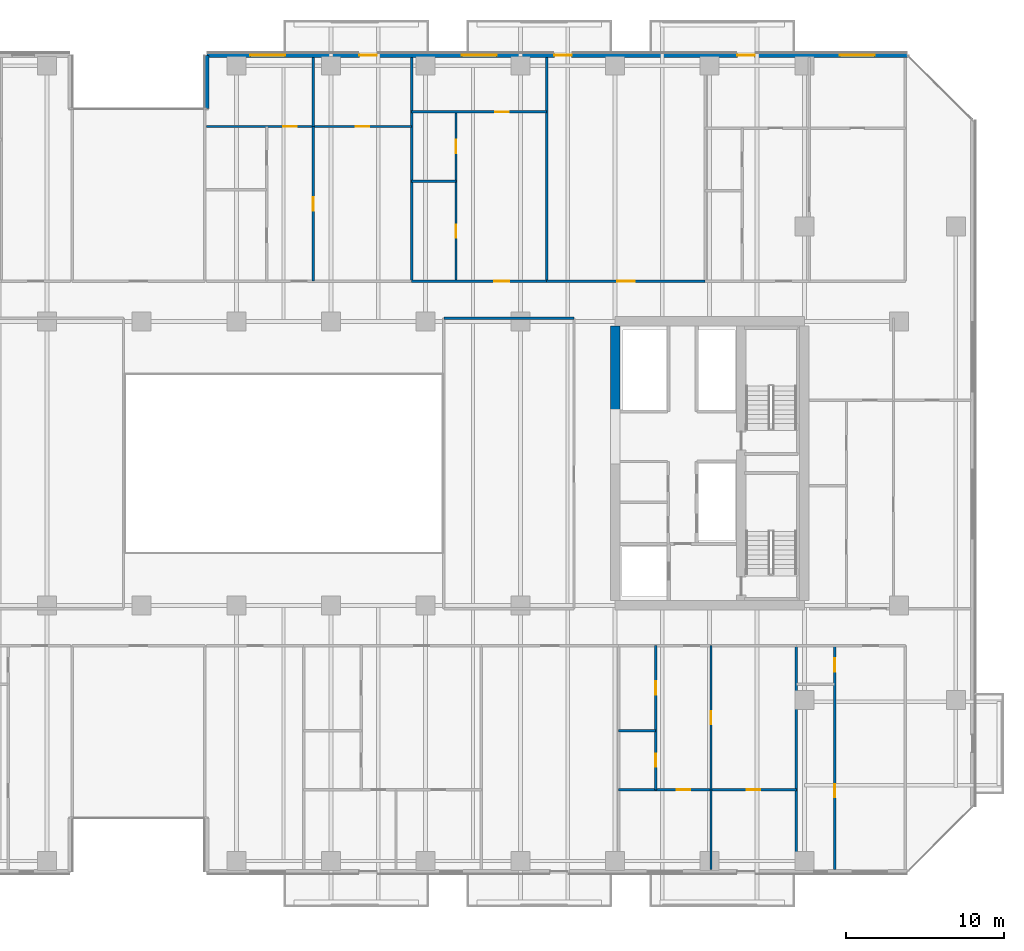
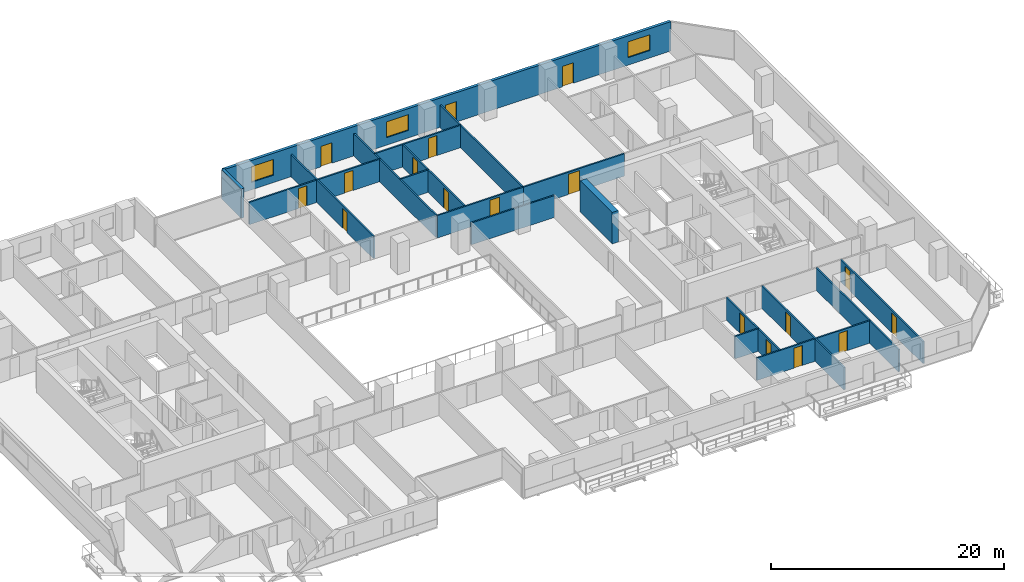
# One storey, part 21 of 33: 21 walls, 18 doors, 3 windows, 21 openings.
"""IFC4 building model written with IfcOpenShell, lengths in metres."""

from ifc_helpers import new_model, si_unit, direction, frame, frame_2d, origin, place, context, subcontext, project, spatial, rectangle, extrude, material, layer, layer_set, type_object, element, fill, save


model = new_model("IFC4")

# Units and contexts
model_context = context("Model", 3, precision=1e-05, world=origin(), true_north=direction((0.0, 1.0)))
body_context = subcontext(model_context, "Body", "Model", "MODEL_VIEW")
ifc_project = project(units=[si_unit("LENGTHUNIT", "METRE"), si_unit("AREAUNIT", "SQUARE_METRE"), si_unit("VOLUMEUNIT", "CUBIC_METRE"), si_unit("PLANEANGLEUNIT", "RADIAN"), si_unit("MASSUNIT", "GRAM", prefix="KILO")], contexts=[model_context])

# Site, building, storey
site_placement = place(None, origin())
site = spatial("IfcSite", under=ifc_project, at=site_placement, CompositionType="ELEMENT")
building_placement = place(site_placement, origin())
building = spatial("IfcBuilding", under=site, at=building_placement, Name="Tanjung Sevakor Pilgrim Tower", CompositionType="ELEMENT")
storey_placement = place(building_placement, frame((0.0, 0.0, 32.340087890625)))
storey = spatial("IfcBuildingStorey", under=building, at=storey_placement, Name="L08", CompositionType="ELEMENT", Elevation=32.340087890625)

# Walls
ifc_material_1 = material(Name="Concrete C60/75", Category="concrete")
ifc_layer_1 = layer(ifc_material_1, 0.60009765625)
ifc_layer_set_1 = layer_set([ifc_layer_1], Name="WALL-CW-600")
wall_type_1 = type_object("IfcWallType", Name="WALL-CW-600", PredefinedType="SHEAR", material=ifc_layer_set_1)
wall_1_placement = place(storey_placement, frame((78.0, 36.800048828125, 0.0), z_axis=(0.0, 0.0, 1.0), x_axis=(0.0, 1.0, 0.0)))
element("IfcWall", 1, at=wall_1_placement, inside=storey, type_object=wall_type_1, Name="L08 E Core Inner Shear Wall North", PredefinedType="SHEAR", context=body_context, shape_type="SweptSolid", body=[
    extrude(rectangle(XDim=5.5, YDim=0.60009765625, at=frame_2d((2.75, 0.0))), origin(), (0.0, 0.0, 1.0), 3.2998046875),
])
ifc_material_2 = material(Name="Concrete C40/50", Category="concrete")
ifc_layer_2 = layer(ifc_material_2, 0.14990234375)
ifc_layer_set_2 = layer_set([ifc_layer_2], Name="WT-COMP-150")
wall_type_2 = type_object("IfcWallType", Name="WT-COMP-150", PredefinedType="SOLIDWALL", material=ifc_layer_set_2)
wall_2_placement = place(storey_placement, frame((67.14990234375, 42.800048828125, 0.0), z_axis=(0.0, 0.0, 1.0), x_axis=(1.0, 0.0, 0.0)))
element("IfcWall", 2, at=wall_2_placement, inside=storey, type_object=wall_type_2, Name="L08 Partition IW-L08-028", PredefinedType="SOLIDWALL", context=body_context, shape_type="SweptSolid", body=[
    extrude(rectangle(XDim=8.25, YDim=0.14990234375, at=frame_2d((4.125, 0.0))), origin(), (0.0, 0.0, 1.0), 2.295166015625),
])
for number, where, z_axis, x_axis, name in (
    (3, (89.4892578125, 7.8798828125, 0.0), (0.0, 0.0, 1.0), (0.0, 1.0, 0.0), "L08 Partition IW-L08-069"),
    (4, (65.10888671875, 45.14990234375, 0.0), (0.0, 0.0, 1.0), (0.0, 1.0, 0.0), "L08 Partition IW-L08-092"),
    (5, (73.669677734375, 45.14990234375, 0.0), (0.0, 0.0, 1.0), (0.0, 1.0, 0.0), "L08 Partition IW-L08-099"),
):
    element("IfcWall", number, at=place(storey_placement, frame(where, z_axis=z_axis, x_axis=x_axis)), inside=storey, type_object=wall_type_2, Name=name, PredefinedType="SOLIDWALL", context=body_context, shape_type="SweptSolid", body=[
        extrude(rectangle(XDim=14.170166015625, YDim=0.14990234375, at=frame_2d((7.0849609375, 0.0))), origin(), (0.0, 0.0, 1.0), 2.35009765625),
    ])

# Wall, opening, door
wall_3_placement = place(storey_placement, frame((65.10888671875, 45.14990234375, 0.0), z_axis=(0.0, 0.0, 1.0), x_axis=(1.0, 0.0, 0.0)))
wall_3 = element("IfcWall", 6, at=wall_3_placement, inside=storey, type_object=wall_type_2, Name="L08 Partition IW-L08-103", PredefinedType="SOLIDWALL", context=body_context, shape_type="SweptSolid", body=[
    extrude(rectangle(XDim=8.560791015625, YDim=0.14990234375, at=frame_2d((4.2802734375, 0.0))), origin(), (0.0, 0.0, 1.0), 2.35009765625),
])
opening_1_placement = place(wall_3_placement, frame((5.2509765625, 0.0, 0.0)))
opening_1 = element("IfcOpeningElement", 7, at=opening_1_placement, cuts=wall_3, Name="Opening ID-FD2", PredefinedType="OPENING", context=body_context, shape_type="SweptSolid", body=[
    extrude(rectangle(XDim=0.949951171875, YDim=2.14990234375, at=frame_2d((0.47509765625, 1.074951171875))), frame((0.0, 0.0849609375, 0.0), z_axis=(0.0, -1.0, 0.0), x_axis=(1.0, 0.0, 0.0)), (0.0, 0.0, 1.0), 0.169921875),
])
ifc_material_3 = material(Name="Fire-Rated Timber", Category="wood")
door_type_1 = type_object("IfcDoorType", Name="DT-FIRE-950", OperationType="NOTDEFINED", PredefinedType="DOOR", material=ifc_material_3)
door_1_placement = place(opening_1_placement, origin())
door_1 = element("IfcDoor", 8, at=door_1_placement, inside=storey, type_object=door_type_1, Name="Residence Entrance", OperationType="SINGLE_SWING_RIGHT", OverallHeight=2.14990234375, OverallWidth=0.949951171875, PredefinedType="DOOR", context=body_context, shape_type="SweptSolid", body=[
    extrude(rectangle(XDim=0.949951171875, YDim=2.14990234375, at=frame_2d((0.47509765625, 1.074951171875))), frame((0.0, 0.02490234375, 0.0), z_axis=(0.0, -1.0, 0.0), x_axis=(1.0, 0.0, 0.0)), (0.0, 0.0, 1.0), 0.050048828125),
])
fill(opening_1, door_1)

wall_4_placement = place(storey_placement, frame((73.669677734375, 45.14990234375, 0.0), z_axis=(0.0, 0.0, 1.0), x_axis=(1.0, 0.0, 0.0)))
wall_4 = element("IfcWall", 9, at=wall_4_placement, inside=storey, type_object=wall_type_2, Name="L08 Partition IW-L08-105", PredefinedType="SOLIDWALL", context=body_context, shape_type="SweptSolid", body=[
    extrude(rectangle(XDim=10.03662109375, YDim=0.14990234375, at=frame_2d((5.018310546875, 0.0))), origin(), (0.0, 0.0, 1.0), 2.35009765625),
])
opening_2_placement = place(wall_4_placement, frame((4.468505859375, 0.0, 0.0)))
opening_2 = element("IfcOpeningElement", 10, at=opening_2_placement, cuts=wall_4, Name="Opening ID-FD0", PredefinedType="OPENING", context=body_context, shape_type="SweptSolid", body=[
    extrude(rectangle(XDim=1.10009765625, YDim=2.14990234375, at=frame_2d((0.550048828125, 1.074951171875))), frame((0.0, 0.0849609375, 0.0), z_axis=(0.0, -1.0, 0.0), x_axis=(1.0, 0.0, 0.0)), (0.0, 0.0, 1.0), 0.169921875),
])
ifc_material_4 = material(Name="Fire-Rated Steel S355J2", Category="steel")
door_type_2 = type_object("IfcDoorType", Name="DT-FIRE-1100", OperationType="NOTDEFINED", PredefinedType="DOOR", material=ifc_material_4)
door_2_placement = place(opening_2_placement, origin())
door_2 = element("IfcDoor", 11, at=door_2_placement, inside=storey, type_object=door_type_2, Name="Council Room Door", OperationType="SINGLE_SWING_LEFT", OverallHeight=2.14990234375, OverallWidth=1.10009765625, PredefinedType="DOOR", context=body_context, shape_type="SweptSolid", body=[
    extrude(rectangle(XDim=1.10009765625, YDim=2.14990234375, at=frame_2d((0.550048828125, 1.074951171875))), frame((0.0, 0.02490234375, 0.0), z_axis=(0.0, -1.0, 0.0), x_axis=(1.0, 0.0, 0.0)), (0.0, 0.0, 1.0), 0.050048828125),
])
fill(opening_2, door_2)

# Wall, openings, doors, windows
ifc_material_5 = material(Name="Precast concrete C45/55", Category="concrete")
ifc_layer_3 = layer(ifc_material_5, 0.280029296875)
ifc_layer_set_3 = layer_set([ifc_layer_3], Name="WT-EW-STN2")
wall_type_3 = type_object("IfcWallType", Name="WT-EW-STN2", PredefinedType="SOLIDWALL", material=ifc_layer_set_3)
wall_5_placement = place(storey_placement, frame((96.5419921875, 59.4599609375, 0.0), z_axis=(0.0, 0.0, 1.0), x_axis=(-1.0, 0.0, 0.0)))
wall_5 = element("IfcWall", 12, at=wall_5_placement, inside=storey, type_object=wall_type_3, Name="L08 MAIN Exterior Wall 9", PredefinedType="SOLIDWALL", context=body_context, shape_type="SweptSolid", body=[
    extrude(rectangle(XDim=44.402099609375, YDim=0.280029296875, at=frame_2d((22.201171875, 0.0))), origin(), (0.0, 0.0, 1.0), 3.080078125),
])
opening_3_placement = place(wall_5_placement, frame((33.64208984375, 0.0, 0.0)))
opening_3 = element("IfcOpeningElement", 13, at=opening_3_placement, cuts=wall_5, Name="Opening ED-BAL-1100", PredefinedType="OPENING", context=body_context, shape_type="SweptSolid", body=[
    extrude(rectangle(XDim=1.10009765625, YDim=2.14990234375, at=frame_2d((0.550048828125, 1.074951171875))), frame((0.0, 0.14990234375, 0.0), z_axis=(0.0, -1.0, 0.0), x_axis=(1.0, 0.0, 0.0)), (0.0, 0.0, 1.0), 0.300048828125),
])
opening_4_placement = place(wall_5_placement, frame((21.2919921875, 0.0, 0.0)))
opening_4 = element("IfcOpeningElement", 14, at=opening_4_placement, cuts=wall_5, Name="Opening ED-BAL-1100", PredefinedType="OPENING", context=body_context, shape_type="SweptSolid", body=[
    extrude(rectangle(XDim=1.10009765625, YDim=2.14990234375, at=frame_2d((0.550048828125, 1.074951171875))), frame((0.0, 0.14990234375, 0.0), z_axis=(0.0, -1.0, 0.0), x_axis=(1.0, 0.0, 0.0)), (0.0, 0.0, 1.0), 0.300048828125),
])
opening_5_placement = place(wall_5_placement, frame((9.69189453125, 0.0, 0.0)))
opening_5 = element("IfcOpeningElement", 15, at=opening_5_placement, cuts=wall_5, Name="Opening ED-BAL-1100", PredefinedType="OPENING", context=body_context, shape_type="SweptSolid", body=[
    extrude(rectangle(XDim=1.10009765625, YDim=2.14990234375, at=frame_2d((0.550048828125, 1.074951171875))), frame((0.0, 0.14990234375, 0.0), z_axis=(0.0, -1.0, 0.0), x_axis=(1.0, 0.0, 0.0)), (0.0, 0.0, 1.0), 0.300048828125),
])
opening_6_placement = place(wall_5_placement, frame((39.454833984375, 0.0, 0.780029296875)))
opening_6 = element("IfcOpeningElement", 16, at=opening_6_placement, cuts=wall_5, Name="Opening WN-Z1-1660", PredefinedType="OPENING", context=body_context, shape_type="SweptSolid", body=[
    extrude(rectangle(XDim=2.199951171875, YDim=1.659912109375, at=frame_2d((1.10009765625, 0.830078125))), frame((0.0, 0.14990234375, 0.0), z_axis=(0.0, -1.0, 0.0), x_axis=(1.0, 0.0, 0.0)), (0.0, 0.0, 1.0), 0.300048828125),
])
opening_7_placement = place(wall_5_placement, frame((26.052734375, 0.0, 0.780029296875)))
opening_7 = element("IfcOpeningElement", 17, at=opening_7_placement, cuts=wall_5, Name="Opening WN-Z1-1660", PredefinedType="OPENING", context=body_context, shape_type="SweptSolid", body=[
    extrude(rectangle(XDim=2.199951171875, YDim=1.659912109375, at=frame_2d((1.10009765625, 0.830078125))), frame((0.0, 0.14990234375, 0.0), z_axis=(0.0, -1.0, 0.0), x_axis=(1.0, 0.0, 0.0)), (0.0, 0.0, 1.0), 0.300048828125),
])
opening_8_placement = place(wall_5_placement, frame((2.098388671875, 0.0, 0.780029296875)))
opening_8 = element("IfcOpeningElement", 18, at=opening_8_placement, cuts=wall_5, Name="Opening WN-Z1-1660", PredefinedType="OPENING", context=body_context, shape_type="SweptSolid", body=[
    extrude(rectangle(XDim=2.199951171875, YDim=1.659912109375, at=frame_2d((1.10009765625, 0.830078125))), frame((0.0, 0.14990234375, 0.0), z_axis=(0.0, -1.0, 0.0), x_axis=(1.0, 0.0, 0.0)), (0.0, 0.0, 1.0), 0.300048828125),
])
ifc_material_6 = material(Name="Anodised Aluminium and Laminated Glass", Category="aluminium")
door_type_3 = type_object("IfcDoorType", Name="DTYP-ED-BAL-1100", OperationType="NOTDEFINED", PredefinedType="DOOR", material=ifc_material_6)
door_3_placement = place(opening_3_placement, frame((1.10009765625, 0.0, 0.0), z_axis=(0.0, 0.0, 1.0), x_axis=(-1.0, 0.0, 0.0)))
door_3 = element("IfcDoor", 19, at=door_3_placement, inside=storey, type_object=door_type_3, Name="L08 Balcony Door MAIN-N2", OperationType="SINGLE_SWING_LEFT", OverallHeight=2.14990234375, OverallWidth=1.10009765625, PredefinedType="DOOR", context=body_context, shape_type="SweptSolid", body=[
    extrude(rectangle(XDim=1.10009765625, YDim=2.14990234375, at=frame_2d((0.550048828125, 1.074951171875))), frame((0.0, 0.02490234375, 0.0), z_axis=(0.0, -1.0, 0.0), x_axis=(1.0, 0.0, 0.0)), (0.0, 0.0, 1.0), 0.050048828125),
])
fill(opening_3, door_3)
door_4_placement = place(opening_4_placement, frame((1.10009765625, 0.0, 0.0), z_axis=(0.0, 0.0, 1.0), x_axis=(-1.0, 0.0, 0.0)))
door_4 = element("IfcDoor", 20, at=door_4_placement, inside=storey, type_object=door_type_3, Name="L08 Balcony Door MAIN-N3", OperationType="SINGLE_SWING_RIGHT", OverallHeight=2.14990234375, OverallWidth=1.10009765625, PredefinedType="DOOR", context=body_context, shape_type="SweptSolid", body=[
    extrude(rectangle(XDim=1.10009765625, YDim=2.14990234375, at=frame_2d((0.550048828125, 1.074951171875))), frame((0.0, 0.02490234375, 0.0), z_axis=(0.0, -1.0, 0.0), x_axis=(1.0, 0.0, 0.0)), (0.0, 0.0, 1.0), 0.050048828125),
])
fill(opening_4, door_4)
door_5_placement = place(opening_5_placement, frame((1.10009765625, 0.0, 0.0), z_axis=(0.0, 0.0, 1.0), x_axis=(-1.0, 0.0, 0.0)))
door_5 = element("IfcDoor", 21, at=door_5_placement, inside=storey, type_object=door_type_3, Name="L08 Balcony Door MAIN-N4", OperationType="SINGLE_SWING_LEFT", OverallHeight=2.14990234375, OverallWidth=1.10009765625, PredefinedType="DOOR", context=body_context, shape_type="SweptSolid", body=[
    extrude(rectangle(XDim=1.10009765625, YDim=2.14990234375, at=frame_2d((0.550048828125, 1.074951171875))), frame((0.0, 0.02490234375, 0.0), z_axis=(0.0, -1.0, 0.0), x_axis=(1.0, 0.0, 0.0)), (0.0, 0.0, 1.0), 0.050048828125),
])
fill(opening_5, door_5)
ifc_material_7 = material(Name="Thermally Broken Aluminium and Low-E Glass", Category="aluminium")
window_type = type_object("IfcWindowType", Name="WTYP-WN-Z1-1660", PartitioningType="DOUBLE_PANEL_VERTICAL", PredefinedType="WINDOW", material=ifc_material_7)
window_1_placement = place(opening_6_placement, origin())
window_1 = element("IfcWindow", 22, at=window_1_placement, inside=storey, type_object=window_type, Name="L08 Facade Window 01", OverallHeight=1.659912109375, OverallWidth=2.199951171875, PartitioningType="SINGLE_PANEL", PredefinedType="WINDOW", context=body_context, shape_type="SweptSolid", body=[
    extrude(rectangle(XDim=2.199951171875, YDim=1.659912109375, at=frame_2d((1.10009765625, 0.830078125))), frame((0.0, 0.030029296875, 0.0), z_axis=(0.0, -1.0, 0.0), x_axis=(1.0, 0.0, 0.0)), (0.0, 0.0, 1.0), 0.06005859375),
])
fill(opening_6, window_1)
window_2_placement = place(opening_7_placement, origin())
window_2 = element("IfcWindow", 23, at=window_2_placement, inside=storey, type_object=window_type, Name="L08 Facade Window 02", OverallHeight=1.659912109375, OverallWidth=2.199951171875, PartitioningType="SINGLE_PANEL", PredefinedType="WINDOW", context=body_context, shape_type="SweptSolid", body=[
    extrude(rectangle(XDim=2.199951171875, YDim=1.659912109375, at=frame_2d((1.10009765625, 0.830078125))), frame((0.0, 0.030029296875, 0.0), z_axis=(0.0, -1.0, 0.0), x_axis=(1.0, 0.0, 0.0)), (0.0, 0.0, 1.0), 0.06005859375),
])
fill(opening_7, window_2)
window_3_placement = place(opening_8_placement, origin())
window_3 = element("IfcWindow", 24, at=window_3_placement, inside=storey, type_object=window_type, Name="L08 Facade Window 03", OverallHeight=1.659912109375, OverallWidth=2.199951171875, PartitioningType="SINGLE_PANEL", PredefinedType="WINDOW", context=body_context, shape_type="SweptSolid", body=[
    extrude(rectangle(XDim=2.199951171875, YDim=1.659912109375, at=frame_2d((1.10009765625, 0.830078125))), frame((0.0, 0.030029296875, 0.0), z_axis=(0.0, -1.0, 0.0), x_axis=(1.0, 0.0, 0.0)), (0.0, 0.0, 1.0), 0.06005859375),
])
fill(opening_8, window_3)

# Wall
wall_6_placement = place(storey_placement, frame((52.139892578125, 59.4599609375, 0.0), z_axis=(0.0, 0.0, 1.0), x_axis=(0.0, -1.0, 0.0)))
element("IfcWall", 25, at=wall_6_placement, inside=storey, type_object=wall_type_3, Name="L08 MAIN Exterior Wall 10", PredefinedType="SOLIDWALL", context=body_context, shape_type="SweptSolid", body=[
    extrude(rectangle(XDim=3.39990234375, YDim=0.280029296875, at=frame_2d((1.699951171875, 0.0))), origin(), (0.0, 0.0, 1.0), 3.080078125),
])

# Wall, opening, door
ifc_material_8 = material(Name="Gypsum Board Partition", Category="gypsum board")
ifc_layer_4 = layer(ifc_material_8, 0.14990234375)
ifc_layer_set_4 = layer_set([ifc_layer_4], Name="WT-PART-150")
wall_type_4 = type_object("IfcWallType", Name="WT-PART-150", PredefinedType="PARTITIONING", material=ifc_layer_set_4)
wall_7_placement = place(storey_placement, frame((84.08349609375, 12.91748046875, 0.0), z_axis=(0.0, 0.0, 1.0), x_axis=(0.0, 1.0, 0.0)))
wall_7 = element("IfcWall", 26, at=wall_7_placement, inside=storey, type_object=wall_type_4, Name="L08 Partition IW-L08-070", PredefinedType="PARTITIONING", context=body_context, shape_type="SweptSolid", body=[
    extrude(rectangle(XDim=9.132568359375, YDim=0.14990234375, at=frame_2d((4.56640625, 0.0))), origin(), (0.0, 0.0, 1.0), 2.35009765625),
])
opening_9_placement = place(wall_7_placement, frame((4.141357421875, 0.0, 0.0)))
opening_9 = element("IfcOpeningElement", 27, at=opening_9_placement, cuts=wall_7, Name="Opening ID-WC1", PredefinedType="OPENING", context=body_context, shape_type="SweptSolid", body=[
    extrude(rectangle(XDim=0.85009765625, YDim=2.10009765625, at=frame_2d((0.425048828125, 1.050048828125))), frame((0.0, 0.0849609375, 0.0), z_axis=(0.0, -1.0, 0.0), x_axis=(1.0, 0.0, 0.0)), (0.0, 0.0, 1.0), 0.169921875),
])
ifc_material_9 = material(Name="Moisture-Resistant Timber", Category="wood")
door_type_4 = type_object("IfcDoorType", Name="DT-INT-850", OperationType="NOTDEFINED", PredefinedType="DOOR", material=ifc_material_9)
door_6_placement = place(opening_9_placement, origin())
door_6 = element("IfcDoor", 28, at=door_6_placement, inside=storey, type_object=door_type_4, Name="Suite Study Room Door", OperationType="SINGLE_SWING_RIGHT", OverallHeight=2.10009765625, OverallWidth=0.85009765625, PredefinedType="DOOR", context=body_context, shape_type="SweptSolid", body=[
    extrude(rectangle(XDim=0.85009765625, YDim=2.10009765625, at=frame_2d((0.425048828125, 1.050048828125))), frame((0.0, 0.02490234375, 0.0), z_axis=(0.0, -1.0, 0.0), x_axis=(1.0, 0.0, 0.0)), (0.0, 0.0, 1.0), 0.050048828125),
])
fill(opening_9, door_6)

# Wall
wall_8_placement = place(storey_placement, frame((78.227294921875, 16.661865234375, 0.0), z_axis=(0.0, 0.0, 1.0), x_axis=(1.0, 0.0, 0.0)))
element("IfcWall", 29, at=wall_8_placement, inside=storey, type_object=wall_type_4, Name="L08 Partition IW-L08-071", PredefinedType="PARTITIONING", context=body_context, shape_type="SweptSolid", body=[
    extrude(rectangle(XDim=2.35009765625, YDim=0.14990234375, at=frame_2d((1.175048828125, 0.0))), origin(), (0.0, 0.0, 1.0), 2.35009765625),
])

# Wall, openings, doors
wall_9_placement = place(storey_placement, frame((80.577392578125, 12.91748046875, 0.0), z_axis=(0.0, 0.0, 1.0), x_axis=(0.0, 1.0, 0.0)))
wall_9 = element("IfcWall", 30, at=wall_9_placement, inside=storey, type_object=wall_type_4, Name="L08 Partition IW-L08-072", PredefinedType="PARTITIONING", context=body_context, shape_type="SweptSolid", body=[
    extrude(rectangle(XDim=9.132568359375, YDim=0.14990234375, at=frame_2d((4.56640625, 0.0))), origin(), (0.0, 0.0, 1.0), 2.35009765625),
])
opening_10_placement = place(wall_9_placement, frame((1.447265625, 0.0, 0.0)))
opening_10 = element("IfcOpeningElement", 31, at=opening_10_placement, cuts=wall_9, Name="Opening ID-WC1", PredefinedType="OPENING", context=body_context, shape_type="SweptSolid", body=[
    extrude(rectangle(XDim=0.85009765625, YDim=2.10009765625, at=frame_2d((0.425048828125, 1.050048828125))), frame((0.0, 0.0849609375, 0.0), z_axis=(0.0, -1.0, 0.0), x_axis=(1.0, 0.0, 0.0)), (0.0, 0.0, 1.0), 0.169921875),
])
opening_11_placement = place(wall_9_placement, frame((6.013427734375, 0.0, 0.0)))
opening_11 = element("IfcOpeningElement", 32, at=opening_11_placement, cuts=wall_9, Name="Opening ID-WC1", PredefinedType="OPENING", context=body_context, shape_type="SweptSolid", body=[
    extrude(rectangle(XDim=0.85009765625, YDim=2.10009765625, at=frame_2d((0.425048828125, 1.050048828125))), frame((0.0, 0.0849609375, 0.0), z_axis=(0.0, -1.0, 0.0), x_axis=(1.0, 0.0, 0.0)), (0.0, 0.0, 1.0), 0.169921875),
])
door_7_placement = place(opening_10_placement, origin())
door_7 = element("IfcDoor", 33, at=door_7_placement, inside=storey, type_object=door_type_4, Name="Suite Bathroom Door", OperationType="SINGLE_SWING_LEFT", OverallHeight=2.10009765625, OverallWidth=0.85009765625, PredefinedType="DOOR", context=body_context, shape_type="SweptSolid", body=[
    extrude(rectangle(XDim=0.85009765625, YDim=2.10009765625, at=frame_2d((0.425048828125, 1.050048828125))), frame((0.0, 0.02490234375, 0.0), z_axis=(0.0, -1.0, 0.0), x_axis=(1.0, 0.0, 0.0)), (0.0, 0.0, 1.0), 0.050048828125),
])
fill(opening_10, door_7)
door_8_placement = place(opening_11_placement, origin())
door_8 = element("IfcDoor", 34, at=door_8_placement, inside=storey, type_object=door_type_4, Name="Suite Kitchenette Door", OperationType="SINGLE_SWING_RIGHT", OverallHeight=2.10009765625, OverallWidth=0.85009765625, PredefinedType="DOOR", context=body_context, shape_type="SweptSolid", body=[
    extrude(rectangle(XDim=0.85009765625, YDim=2.10009765625, at=frame_2d((0.425048828125, 1.050048828125))), frame((0.0, 0.02490234375, 0.0), z_axis=(0.0, -1.0, 0.0), x_axis=(1.0, 0.0, 0.0)), (0.0, 0.0, 1.0), 0.050048828125),
])
fill(opening_11, door_8)

# Wall
wall_10_placement = place(storey_placement, frame((84.08349609375, 7.8798828125, 0.0), z_axis=(0.0, 0.0, 1.0), x_axis=(0.0, 1.0, 0.0)))
element("IfcWall", 35, at=wall_10_placement, inside=storey, type_object=wall_type_4, Name="L08 Partition IW-L08-073", PredefinedType="PARTITIONING", context=body_context, shape_type="SweptSolid", body=[
    extrude(rectangle(XDim=5.03759765625, YDim=0.14990234375, at=frame_2d((2.518798828125, 0.0))), origin(), (0.0, 0.0, 1.0), 2.35009765625),
])

# Wall, openings, doors
wall_11_placement = place(storey_placement, frame((78.227294921875, 12.91748046875, 0.0), z_axis=(0.0, 0.0, 1.0), x_axis=(1.0, 0.0, 0.0)))
wall_11 = element("IfcWall", 36, at=wall_11_placement, inside=storey, type_object=wall_type_4, Name="L08 Partition IW-L08-074", PredefinedType="PARTITIONING", context=body_context, shape_type="SweptSolid", body=[
    extrude(rectangle(XDim=11.261962890625, YDim=0.14990234375, at=frame_2d((5.630859375, 0.0))), origin(), (0.0, 0.0, 1.0), 2.35009765625),
])
opening_12_placement = place(wall_11_placement, frame((3.677978515625, 0.0, 0.0)))
opening_12 = element("IfcOpeningElement", 37, at=opening_12_placement, cuts=wall_11, Name="Opening ID-WC1", PredefinedType="OPENING", context=body_context, shape_type="SweptSolid", body=[
    extrude(rectangle(XDim=0.85009765625, YDim=2.10009765625, at=frame_2d((0.425048828125, 1.050048828125))), frame((0.0, 0.0849609375, 0.0), z_axis=(0.0, -1.0, 0.0), x_axis=(1.0, 0.0, 0.0)), (0.0, 0.0, 1.0), 0.169921875),
])
opening_13_placement = place(wall_11_placement, frame((8.134033203125, 0.0, 0.0)))
opening_13 = element("IfcOpeningElement", 38, at=opening_13_placement, cuts=wall_11, Name="Opening ID-WC1", PredefinedType="OPENING", context=body_context, shape_type="SweptSolid", body=[
    extrude(rectangle(XDim=0.85009765625, YDim=2.10009765625, at=frame_2d((0.425048828125, 1.050048828125))), frame((0.0, 0.0849609375, 0.0), z_axis=(0.0, -1.0, 0.0), x_axis=(1.0, 0.0, 0.0)), (0.0, 0.0, 1.0), 0.169921875),
])
door_9_placement = place(opening_12_placement, origin())
door_9 = element("IfcDoor", 39, at=door_9_placement, inside=storey, type_object=door_type_4, Name="Suite Bedroom 1 Door", OperationType="SINGLE_SWING_LEFT", OverallHeight=2.10009765625, OverallWidth=0.85009765625, PredefinedType="DOOR", context=body_context, shape_type="SweptSolid", body=[
    extrude(rectangle(XDim=0.85009765625, YDim=2.10009765625, at=frame_2d((0.425048828125, 1.050048828125))), frame((0.0, 0.02490234375, 0.0), z_axis=(0.0, -1.0, 0.0), x_axis=(1.0, 0.0, 0.0)), (0.0, 0.0, 1.0), 0.050048828125),
])
fill(opening_12, door_9)
door_10_placement = place(opening_13_placement, origin())
door_10 = element("IfcDoor", 40, at=door_10_placement, inside=storey, type_object=door_type_4, Name="Suite Bedroom 2 Door", OperationType="SINGLE_SWING_RIGHT", OverallHeight=2.10009765625, OverallWidth=0.85009765625, PredefinedType="DOOR", context=body_context, shape_type="SweptSolid", body=[
    extrude(rectangle(XDim=0.85009765625, YDim=2.10009765625, at=frame_2d((0.425048828125, 1.050048828125))), frame((0.0, 0.02490234375, 0.0), z_axis=(0.0, -1.0, 0.0), x_axis=(1.0, 0.0, 0.0)), (0.0, 0.0, 1.0), 0.050048828125),
])
fill(opening_13, door_10)

wall_12_placement = place(storey_placement, frame((91.919921875, 7.8798828125, 0.0), z_axis=(0.0, 0.0, 1.0), x_axis=(0.0, 1.0, 0.0)))
wall_12 = element("IfcWall", 41, at=wall_12_placement, inside=storey, type_object=wall_type_4, Name="L08 Partition IW-L08-077", PredefinedType="PARTITIONING", context=body_context, shape_type="SweptSolid", body=[
    extrude(rectangle(XDim=14.170166015625, YDim=0.14990234375, at=frame_2d((7.0849609375, 0.0))), origin(), (0.0, 0.0, 1.0), 2.35009765625),
])
opening_14_placement = place(wall_12_placement, frame((4.548095703125, 0.0, 0.0)))
opening_14 = element("IfcOpeningElement", 42, at=opening_14_placement, cuts=wall_12, Name="Opening ID-WC1", PredefinedType="OPENING", context=body_context, shape_type="SweptSolid", body=[
    extrude(rectangle(XDim=0.85009765625, YDim=2.10009765625, at=frame_2d((0.425048828125, 1.050048828125))), frame((0.0, 0.0849609375, 0.0), z_axis=(0.0, -1.0, 0.0), x_axis=(1.0, 0.0, 0.0)), (0.0, 0.0, 1.0), 0.169921875),
])
opening_15_placement = place(wall_12_placement, frame((12.52001953125, 0.0, 0.0)))
opening_15 = element("IfcOpeningElement", 43, at=opening_15_placement, cuts=wall_12, Name="Opening ID-WC1", PredefinedType="OPENING", context=body_context, shape_type="SweptSolid", body=[
    extrude(rectangle(XDim=0.85009765625, YDim=2.10009765625, at=frame_2d((0.425048828125, 1.050048828125))), frame((0.0, 0.0849609375, 0.0), z_axis=(0.0, -1.0, 0.0), x_axis=(1.0, 0.0, 0.0)), (0.0, 0.0, 1.0), 0.169921875),
])
door_11_placement = place(opening_14_placement, origin())
door_11 = element("IfcDoor", 44, at=door_11_placement, inside=storey, type_object=door_type_4, Name="Study Nook Door", OperationType="SINGLE_SWING_RIGHT", OverallHeight=2.10009765625, OverallWidth=0.85009765625, PredefinedType="DOOR", context=body_context, shape_type="SweptSolid", body=[
    extrude(rectangle(XDim=0.85009765625, YDim=2.10009765625, at=frame_2d((0.425048828125, 1.050048828125))), frame((0.0, 0.02490234375, 0.0), z_axis=(0.0, -1.0, 0.0), x_axis=(1.0, 0.0, 0.0)), (0.0, 0.0, 1.0), 0.050048828125),
])
fill(opening_14, door_11)
door_12_placement = place(opening_15_placement, origin())
door_12 = element("IfcDoor", 45, at=door_12_placement, inside=storey, type_object=door_type_4, Name="Bathroom Door", OperationType="SINGLE_SWING_LEFT", OverallHeight=2.10009765625, OverallWidth=0.85009765625, PredefinedType="DOOR", context=body_context, shape_type="SweptSolid", body=[
    extrude(rectangle(XDim=0.85009765625, YDim=2.10009765625, at=frame_2d((0.425048828125, 1.050048828125))), frame((0.0, 0.02490234375, 0.0), z_axis=(0.0, -1.0, 0.0), x_axis=(1.0, 0.0, 0.0)), (0.0, 0.0, 1.0), 0.050048828125),
])
fill(opening_15, door_12)

# Wall, opening, door
wall_13_placement = place(storey_placement, frame((58.874267578125, 45.14990234375, 0.0), z_axis=(0.0, 0.0, 1.0), x_axis=(0.0, 1.0, 0.0)))
wall_13 = element("IfcWall", 46, at=wall_13_placement, inside=storey, type_object=wall_type_4, Name="L08 Partition IW-L08-093", PredefinedType="PARTITIONING", context=body_context, shape_type="SweptSolid", body=[
    extrude(rectangle(XDim=9.802490234375, YDim=0.14990234375, at=frame_2d((4.9013671875, 0.0))), origin(), (0.0, 0.0, 1.0), 2.35009765625),
])
opening_16_placement = place(wall_13_placement, frame((4.476318359375, 0.0, 0.0)))
opening_16 = element("IfcOpeningElement", 47, at=opening_16_placement, cuts=wall_13, Name="Opening ID-WC1", PredefinedType="OPENING", context=body_context, shape_type="SweptSolid", body=[
    extrude(rectangle(XDim=0.85009765625, YDim=2.10009765625, at=frame_2d((0.425048828125, 1.050048828125))), frame((0.0, 0.0849609375, 0.0), z_axis=(0.0, -1.0, 0.0), x_axis=(1.0, 0.0, 0.0)), (0.0, 0.0, 1.0), 0.169921875),
])
door_13_placement = place(opening_16_placement, origin())
door_13 = element("IfcDoor", 48, at=door_13_placement, inside=storey, type_object=door_type_4, Name="Suite Study Room Door", OperationType="SINGLE_SWING_LEFT", OverallHeight=2.10009765625, OverallWidth=0.85009765625, PredefinedType="DOOR", context=body_context, shape_type="SweptSolid", body=[
    extrude(rectangle(XDim=0.85009765625, YDim=2.10009765625, at=frame_2d((0.425048828125, 1.050048828125))), frame((0.0, 0.02490234375, 0.0), z_axis=(0.0, -1.0, 0.0), x_axis=(1.0, 0.0, 0.0)), (0.0, 0.0, 1.0), 0.050048828125),
])
fill(opening_16, door_13)

# Wall
wall_14_placement = place(storey_placement, frame((58.874267578125, 54.952392578125, 0.0), z_axis=(0.0, 0.0, 1.0), x_axis=(0.0, 1.0, 0.0)))
element("IfcWall", 49, at=wall_14_placement, inside=storey, type_object=wall_type_4, Name="L08 Partition IW-L08-096", PredefinedType="PARTITIONING", context=body_context, shape_type="SweptSolid", body=[
    extrude(rectangle(XDim=4.36767578125, YDim=0.14990234375, at=frame_2d((2.183837890625, 0.0))), origin(), (0.0, 0.0, 1.0), 2.35009765625),
])

# Wall, openings, doors
wall_15_placement = place(storey_placement, frame((52.1201171875, 54.952392578125, 0.0), z_axis=(0.0, 0.0, 1.0), x_axis=(1.0, 0.0, 0.0)))
wall_15 = element("IfcWall", 50, at=wall_15_placement, inside=storey, type_object=wall_type_4, Name="L08 Partition IW-L08-097", PredefinedType="PARTITIONING", context=body_context, shape_type="SweptSolid", body=[
    extrude(rectangle(XDim=12.98876953125, YDim=0.14990234375, at=frame_2d((6.494384765625, 0.0))), origin(), (0.0, 0.0, 1.0), 2.35009765625),
])
opening_17_placement = place(wall_15_placement, frame((4.85205078125, 0.0, 0.0)))
opening_17 = element("IfcOpeningElement", 51, at=opening_17_placement, cuts=wall_15, Name="Opening ID-WC1", PredefinedType="OPENING", context=body_context, shape_type="SweptSolid", body=[
    extrude(rectangle(XDim=0.85009765625, YDim=2.10009765625, at=frame_2d((0.425048828125, 1.050048828125))), frame((0.0, 0.0849609375, 0.0), z_axis=(0.0, -1.0, 0.0), x_axis=(1.0, 0.0, 0.0)), (0.0, 0.0, 1.0), 0.169921875),
])
opening_18_placement = place(wall_15_placement, frame((9.446533203125, 0.0, 0.0)))
opening_18 = element("IfcOpeningElement", 52, at=opening_18_placement, cuts=wall_15, Name="Opening ID-WC1", PredefinedType="OPENING", context=body_context, shape_type="SweptSolid", body=[
    extrude(rectangle(XDim=0.85009765625, YDim=2.10009765625, at=frame_2d((0.425048828125, 1.050048828125))), frame((0.0, 0.0849609375, 0.0), z_axis=(0.0, -1.0, 0.0), x_axis=(1.0, 0.0, 0.0)), (0.0, 0.0, 1.0), 0.169921875),
])
door_14_placement = place(opening_17_placement, origin())
door_14 = element("IfcDoor", 53, at=door_14_placement, inside=storey, type_object=door_type_4, Name="Suite Bedroom 1 Door", OperationType="SINGLE_SWING_RIGHT", OverallHeight=2.10009765625, OverallWidth=0.85009765625, PredefinedType="DOOR", context=body_context, shape_type="SweptSolid", body=[
    extrude(rectangle(XDim=0.85009765625, YDim=2.10009765625, at=frame_2d((0.425048828125, 1.050048828125))), frame((0.0, 0.02490234375, 0.0), z_axis=(0.0, -1.0, 0.0), x_axis=(1.0, 0.0, 0.0)), (0.0, 0.0, 1.0), 0.050048828125),
])
fill(opening_17, door_14)
door_15_placement = place(opening_18_placement, origin())
door_15 = element("IfcDoor", 54, at=door_15_placement, inside=storey, type_object=door_type_4, Name="Suite Bedroom 2 Door", OperationType="SINGLE_SWING_LEFT", OverallHeight=2.10009765625, OverallWidth=0.85009765625, PredefinedType="DOOR", context=body_context, shape_type="SweptSolid", body=[
    extrude(rectangle(XDim=0.85009765625, YDim=2.10009765625, at=frame_2d((0.425048828125, 1.050048828125))), frame((0.0, 0.02490234375, 0.0), z_axis=(0.0, -1.0, 0.0), x_axis=(1.0, 0.0, 0.0)), (0.0, 0.0, 1.0), 0.050048828125),
])
fill(opening_18, door_15)

# Wall
wall_16_placement = place(storey_placement, frame((65.10888671875, 51.477294921875, 0.0), z_axis=(0.0, 0.0, 1.0), x_axis=(1.0, 0.0, 0.0)))
element("IfcWall", 55, at=wall_16_placement, inside=storey, type_object=wall_type_4, Name="L08 Partition IW-L08-100", PredefinedType="PARTITIONING", context=body_context, shape_type="SweptSolid", body=[
    extrude(rectangle(XDim=2.81103515625, YDim=0.14990234375, at=frame_2d((1.405517578125, 0.0))), origin(), (0.0, 0.0, 1.0), 2.35009765625),
])

# Wall, openings, doors
wall_17_placement = place(storey_placement, frame((67.919921875, 45.14990234375, 0.0), z_axis=(0.0, 0.0, 1.0), x_axis=(0.0, 1.0, 0.0)))
wall_17 = element("IfcWall", 56, at=wall_17_placement, inside=storey, type_object=wall_type_4, Name="L08 Partition IW-L08-101", PredefinedType="PARTITIONING", context=body_context, shape_type="SweptSolid", body=[
    extrude(rectangle(XDim=10.72412109375, YDim=0.14990234375, at=frame_2d((5.362060546875, 0.0))), origin(), (0.0, 0.0, 1.0), 2.35009765625),
])
opening_19_placement = place(wall_17_placement, frame((2.738525390625, 0.0, 0.0)))
opening_19 = element("IfcOpeningElement", 57, at=opening_19_placement, cuts=wall_17, Name="Opening ID-WC1", PredefinedType="OPENING", context=body_context, shape_type="SweptSolid", body=[
    extrude(rectangle(XDim=0.85009765625, YDim=2.10009765625, at=frame_2d((0.425048828125, 1.050048828125))), frame((0.0, 0.0849609375, 0.0), z_axis=(0.0, -1.0, 0.0), x_axis=(1.0, 0.0, 0.0)), (0.0, 0.0, 1.0), 0.169921875),
])
opening_20_placement = place(wall_17_placement, frame((8.1005859375, 0.0, 0.0)))
opening_20 = element("IfcOpeningElement", 58, at=opening_20_placement, cuts=wall_17, Name="Opening ID-WC1", PredefinedType="OPENING", context=body_context, shape_type="SweptSolid", body=[
    extrude(rectangle(XDim=0.85009765625, YDim=2.10009765625, at=frame_2d((0.425048828125, 1.050048828125))), frame((0.0, 0.0849609375, 0.0), z_axis=(0.0, -1.0, 0.0), x_axis=(1.0, 0.0, 0.0)), (0.0, 0.0, 1.0), 0.169921875),
])
door_16_placement = place(opening_19_placement, origin())
door_16 = element("IfcDoor", 59, at=door_16_placement, inside=storey, type_object=door_type_4, Name="Residence Kitchenette Door", OperationType="SINGLE_SWING_LEFT", OverallHeight=2.10009765625, OverallWidth=0.85009765625, PredefinedType="DOOR", context=body_context, shape_type="SweptSolid", body=[
    extrude(rectangle(XDim=0.85009765625, YDim=2.10009765625, at=frame_2d((0.425048828125, 1.050048828125))), frame((0.0, 0.02490234375, 0.0), z_axis=(0.0, -1.0, 0.0), x_axis=(1.0, 0.0, 0.0)), (0.0, 0.0, 1.0), 0.050048828125),
])
fill(opening_19, door_16)
door_17_placement = place(opening_20_placement, origin())
door_17 = element("IfcDoor", 60, at=door_17_placement, inside=storey, type_object=door_type_4, Name="Residence Bathroom Door", OperationType="SINGLE_SWING_RIGHT", OverallHeight=2.10009765625, OverallWidth=0.85009765625, PredefinedType="DOOR", context=body_context, shape_type="SweptSolid", body=[
    extrude(rectangle(XDim=0.85009765625, YDim=2.10009765625, at=frame_2d((0.425048828125, 1.050048828125))), frame((0.0, 0.02490234375, 0.0), z_axis=(0.0, -1.0, 0.0), x_axis=(1.0, 0.0, 0.0)), (0.0, 0.0, 1.0), 0.050048828125),
])
fill(opening_20, door_17)

# Wall, opening, door
wall_18_placement = place(storey_placement, frame((65.10888671875, 55.8740234375, 0.0), z_axis=(0.0, 0.0, 1.0), x_axis=(1.0, 0.0, 0.0)))
wall_18 = element("IfcWall", 61, at=wall_18_placement, inside=storey, type_object=wall_type_4, Name="L08 Partition IW-L08-102", PredefinedType="PARTITIONING", context=body_context, shape_type="SweptSolid", body=[
    extrude(rectangle(XDim=8.560791015625, YDim=0.14990234375, at=frame_2d((4.2802734375, 0.0))), origin(), (0.0, 0.0, 1.0), 2.35009765625),
])
opening_21_placement = place(wall_18_placement, frame((5.301025390625, 0.0, 0.0)))
opening_21 = element("IfcOpeningElement", 62, at=opening_21_placement, cuts=wall_18, Name="Opening ID-WC1", PredefinedType="OPENING", context=body_context, shape_type="SweptSolid", body=[
    extrude(rectangle(XDim=0.85009765625, YDim=2.10009765625, at=frame_2d((0.425048828125, 1.050048828125))), frame((0.0, 0.0849609375, 0.0), z_axis=(0.0, -1.0, 0.0), x_axis=(1.0, 0.0, 0.0)), (0.0, 0.0, 1.0), 0.169921875),
])
door_18_placement = place(opening_21_placement, origin())
door_18 = element("IfcDoor", 63, at=door_18_placement, inside=storey, type_object=door_type_4, Name="Residence Bedroom Door", OperationType="SINGLE_SWING_LEFT", OverallHeight=2.10009765625, OverallWidth=0.85009765625, PredefinedType="DOOR", context=body_context, shape_type="SweptSolid", body=[
    extrude(rectangle(XDim=0.85009765625, YDim=2.10009765625, at=frame_2d((0.425048828125, 1.050048828125))), frame((0.0, 0.02490234375, 0.0), z_axis=(0.0, -1.0, 0.0), x_axis=(1.0, 0.0, 0.0)), (0.0, 0.0, 1.0), 0.050048828125),
])
fill(opening_21, door_18)

save(model, "model.ifc")
